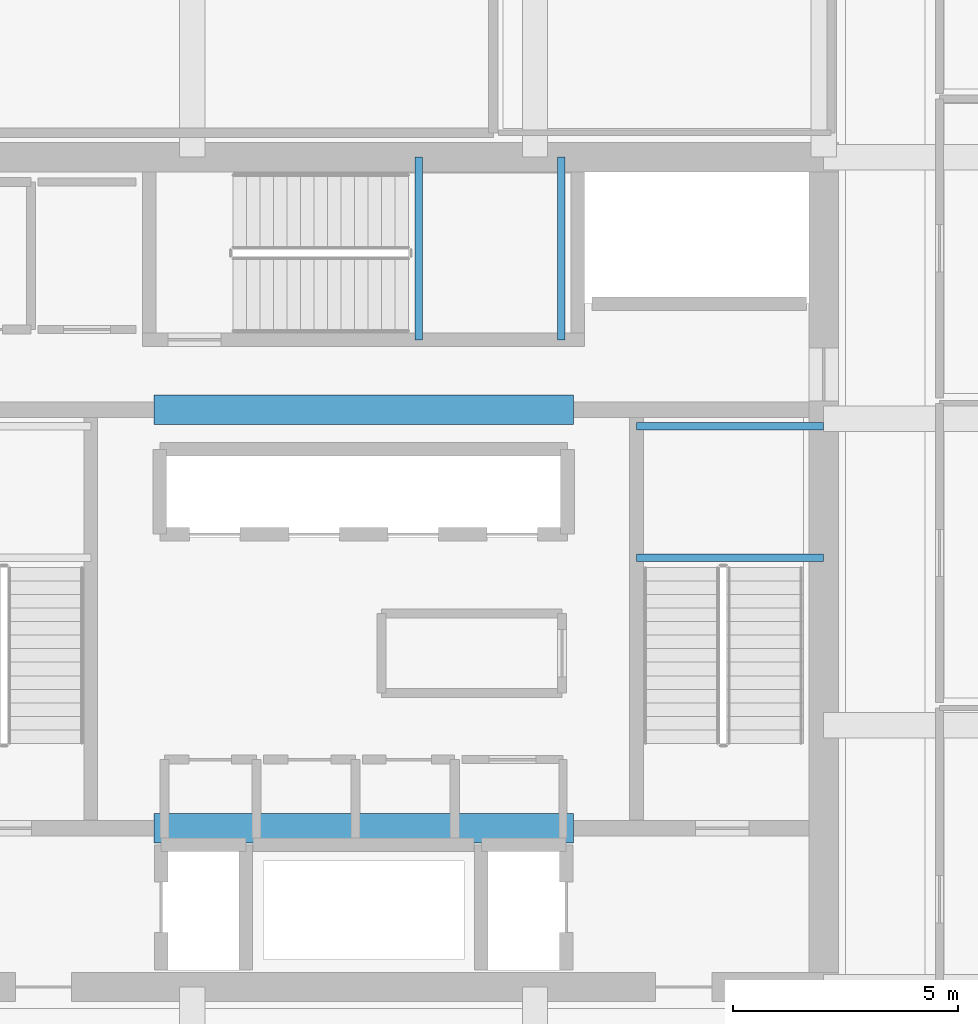
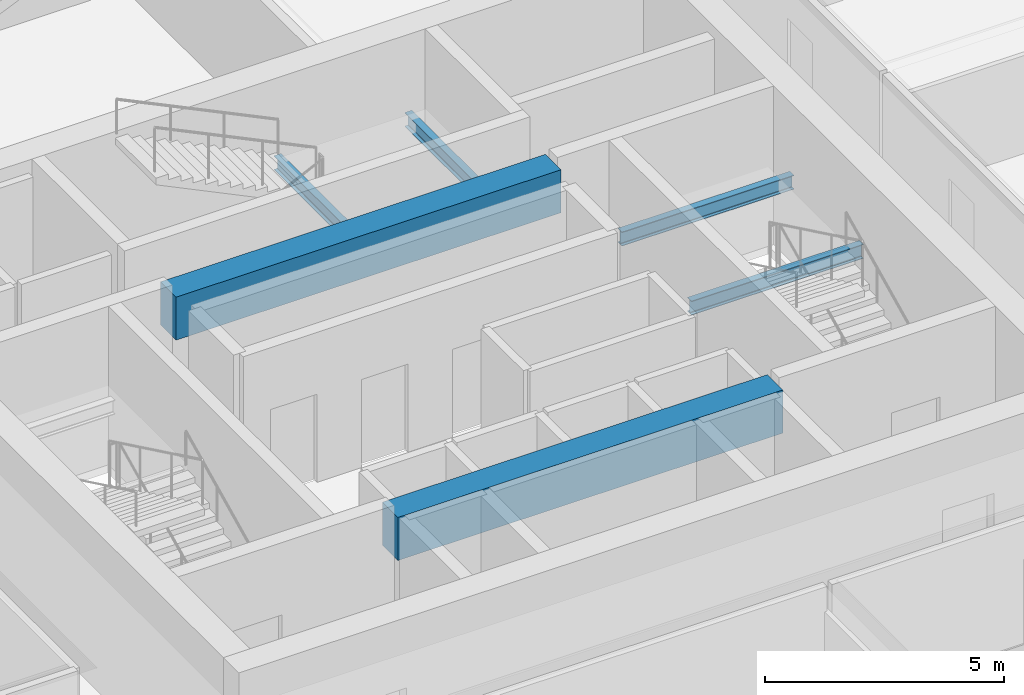
# One storey, part 11 of 41: 6 beams.
"""IFC4 building model written with IfcOpenShell, lengths in metres."""

from ifc_helpers import new_model, si_unit, direction, frame, origin, origin_2d, place, context, subcontext, project, spatial, rectangle, i_section, extrude, material, material_profile, profile_set, type_object, element, save


model = new_model("IFC4")

# Units and contexts
model_context = context("Model", 3, precision=1e-05, world=origin(), true_north=direction((0.0, 1.0)))
body_context = subcontext(model_context, "Body", "Model", "MODEL_VIEW")
ifc_project = project(units=[si_unit("LENGTHUNIT", "METRE"), si_unit("AREAUNIT", "SQUARE_METRE"), si_unit("VOLUMEUNIT", "CUBIC_METRE"), si_unit("PLANEANGLEUNIT", "RADIAN"), si_unit("MASSUNIT", "GRAM", prefix="KILO")], contexts=[model_context])

# Site, building, storey
site_placement = place(None, origin())
site = spatial("IfcSite", under=ifc_project, at=site_placement, CompositionType="ELEMENT")
building_placement = place(site_placement, origin())
building = spatial("IfcBuilding", under=site, at=building_placement, Name="Punatoya Terracotta Tower", CompositionType="ELEMENT")
storey_placement = place(building_placement, frame((0.0, 0.0, 220.800048828125)))
storey = spatial("IfcBuildingStorey", under=building, at=storey_placement, Name="L52", CompositionType="ELEMENT", Elevation=220.800048828125)

# Beams
ifc_material_1 = material(Name="Concrete C60/75", Category="concrete")
ifc_material_profile_1 = material_profile(ifc_material_1, rectangle(XDim=0.64990234375, YDim=1.10009765625, at=origin_2d()))
ifc_profile_set_1 = profile_set([ifc_material_profile_1], Name="Concrete C60/75")
beam_type_1 = type_object("IfcBeamType", Name="BM-RC-1100", PredefinedType="LINTEL", material=ifc_profile_set_1)
for number, where, z_axis, x_axis, name in (
    (1, (-4.64990234375, -5.679931640625, 3.280029296875), (1.0, 0.0, 0.0), (0.0, 1.0, 0.0), "L52 Core Coupling Lintel CSW"),
    (2, (-4.64990234375, 3.60009765625, 3.280029296875), (1.0, 0.0, 0.0), (0.0, 1.0, 0.0), "L52 Core Coupling Lintel CNW"),
):
    element("IfcBeam", number, at=place(storey_placement, frame(where, z_axis=z_axis, x_axis=x_axis)), inside=storey, type_object=beam_type_1, Name=name, PredefinedType="LINTEL", context=body_context, shape_type="SweptSolid", body=[
        extrude(rectangle(XDim=0.64990234375, YDim=1.10009765625, at=origin_2d()), origin(), (0.0, 0.0, 1.0), 9.2998046875),
    ])
ifc_material_2 = material(Name="Steel S355", Category="steel")
ifc_material_profile_2 = material_profile(ifc_material_2, i_section(OverallWidth=0.169921875, OverallDepth=0.360107421875, WebThickness=0.008056640625, FlangeThickness=0.0126953125, FilletRadius=0.01806640625, at=origin_2d()))
ifc_profile_set_2 = profile_set([ifc_material_profile_2], Name="Steel S355")
beam_type_2 = type_object("IfcBeamType", Name="BM-SEC-360", PredefinedType="JOIST", material=ifc_profile_set_2)
for number, where, z_axis, x_axis, name in (
    (3, (6.050048828125, 0.320068359375, 1.64501953125), (1.0, 0.0, 0.0), (0.0, 1.0, 0.0), "BM-L52-ST-2-LD1A"),
    (4, (6.050048828125, 3.22998046875, 1.64501953125), (1.0, 0.0, 0.0), (0.0, 1.0, 0.0), "BM-L52-ST-2-LD1B"),
):
    element("IfcBeam", number, at=place(storey_placement, frame(where, z_axis=z_axis, x_axis=x_axis)), inside=storey, type_object=beam_type_2, Name=name, PredefinedType="JOIST", context=body_context, shape_type="SweptSolid", body=[
        extrude(i_section(OverallWidth=0.169921875, OverallDepth=0.360107421875, WebThickness=0.008056640625, FlangeThickness=0.0126953125, FilletRadius=0.01806640625, at=origin_2d()), origin(), (0.0, 0.0, 1.0), 4.14990234375),
    ])
for number, where, z_axis, x_axis, name in (
    (5, (1.219970703125, 5.14990234375, 1.64501953125), (0.0, 1.0, 0.0), (-1.0, 0.0, 0.0), "BM-L52-ST-3-LD1A"),
    (6, (4.3798828125, 5.14990234375, 1.64501953125), (0.0, 1.0, 0.0), (-1.0, 0.0, 0.0), "BM-L52-ST-3-LD1B"),
):
    element("IfcBeam", number, at=place(storey_placement, frame(where, z_axis=z_axis, x_axis=x_axis)), inside=storey, type_object=beam_type_2, Name=name, PredefinedType="JOIST", context=body_context, shape_type="SweptSolid", body=[
        extrude(i_section(OverallWidth=0.169921875, OverallDepth=0.360107421875, WebThickness=0.008056640625, FlangeThickness=0.0126953125, FilletRadius=0.01806640625, at=origin_2d()), origin(), (0.0, 0.0, 1.0), 4.050048828125),
    ])

save(model, "model.ifc")
